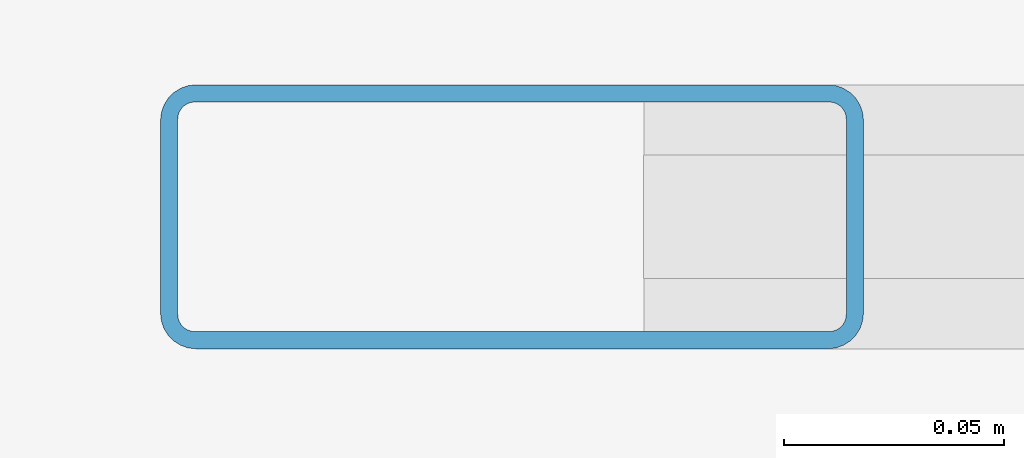
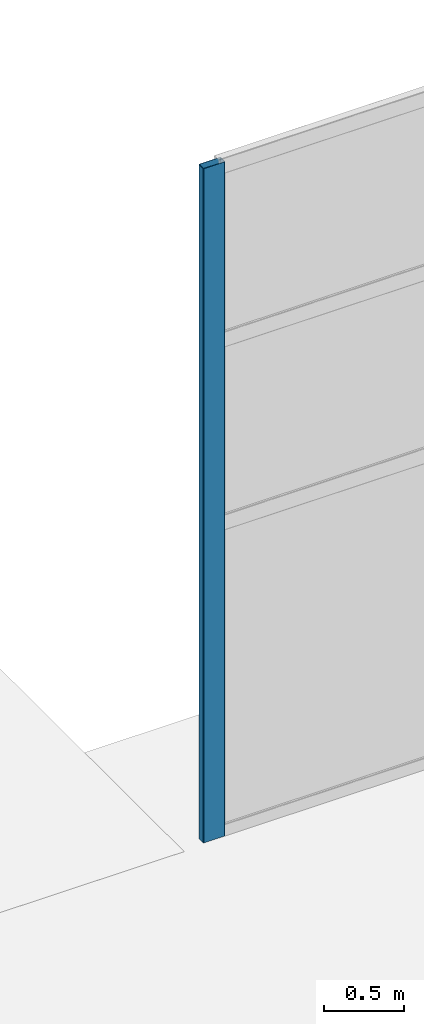
# One storey, part 42 of 91: 1 member, 1 element without a shape of its own.
"""IFC4 building model written with IfcOpenShell, lengths in metres."""

from ifc_helpers import new_model, si_unit, direction, frame, origin, origin_2d, place, context, subcontext, project, spatial, hollow_rectangle, extrude, material, material_profile, profile_set, type_object, element, aggregate, save


model = new_model("IFC4")

# Units and contexts
model_context = context("Model", 3, precision=1e-05, world=origin(), true_north=direction((0.0, 1.0)))
body_context = subcontext(model_context, "Body", "Model", "MODEL_VIEW")
ifc_project = project(units=[si_unit("LENGTHUNIT", "METRE"), si_unit("AREAUNIT", "SQUARE_METRE"), si_unit("VOLUMEUNIT", "CUBIC_METRE"), si_unit("PLANEANGLEUNIT", "RADIAN"), si_unit("MASSUNIT", "GRAM", prefix="KILO")], contexts=[model_context])

# Site, building, storey
site_placement = place(None, origin())
site = spatial("IfcSite", under=ifc_project, at=site_placement, CompositionType="ELEMENT")
building_placement = place(site_placement, origin())
building = spatial("IfcBuilding", under=site, at=building_placement, Name="Bramveld Media Centre", CompositionType="ELEMENT")
storey_placement = place(building_placement, origin())
storey = spatial("IfcBuildingStorey", under=building, at=storey_placement, Name="L00", CompositionType="ELEMENT", Elevation=0.0)

# Curtain wall, member
ifc_material_1 = material(Name="Thermally broken anodized bronze aluminium unitized curtain wall with solar-control triple glazing", Category="aluminium")
curtain_wall_type = type_object("IfcCurtainWallType", Name="CW-GAL-3900x5160", PredefinedType="NOTDEFINED", material=ifc_material_1)
curtain_wall_placement = place(storey_placement, origin())
curtain_wall = element("IfcCurtainWall", 1, at=curtain_wall_placement, inside=storey, type_object=curtain_wall_type, Name="COLN-N colonnade glazed screen 7", PredefinedType="NOTDEFINED")
ifc_material_2 = material(Name="Thermally broken anodized bronze aluminium EN AW-6063 T6 curtain-wall framing", Category="aluminium")
ifc_material_profile = material_profile(ifc_material_2, hollow_rectangle(XDim=0.06005859375, YDim=0.159912109375, WallThickness=0.00390625, InnerFilletRadius=0.00390625, OuterFilletRadius=0.008056640625, at=origin_2d()), Name="AL-MULL 60x160")
ifc_profile_set = profile_set([ifc_material_profile], Name="Thermally broken anodized bronze aluminium EN AW-6063 T6 curtain-wall framing")
member_type = type_object("IfcMemberType", Name="CW-MULL-EXT", PredefinedType="MULLION", material=ifc_profile_set)
member_placement = place(storey_placement, frame((30.280029296875, 110.800048828125, 0.0), z_axis=(0.0, 0.0, 1.0), x_axis=(0.0, 1.0, 0.0)))
member = element("IfcMember", 2, at=member_placement, type_object=member_type, Name="CW-GA-3951 mullion 1", PredefinedType="MULLION", context=body_context, shape_type="SweptSolid", body=[
    extrude(hollow_rectangle(XDim=0.06005859375, YDim=0.159912109375, WallThickness=0.00390625, InnerFilletRadius=0.00390625, OuterFilletRadius=0.008056640625, at=origin_2d()), origin(), (0.0, 0.0, 1.0), 5.159912109375),
])
aggregate(curtain_wall, [member])

save(model, "model.ifc")
